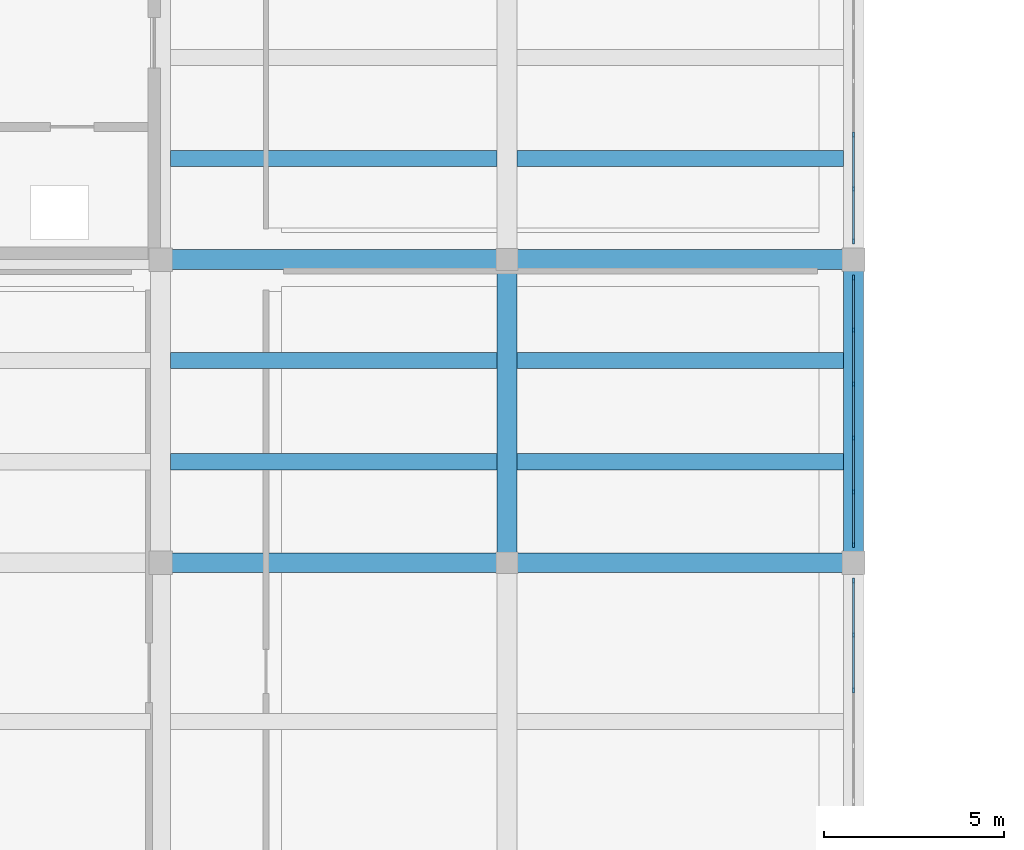
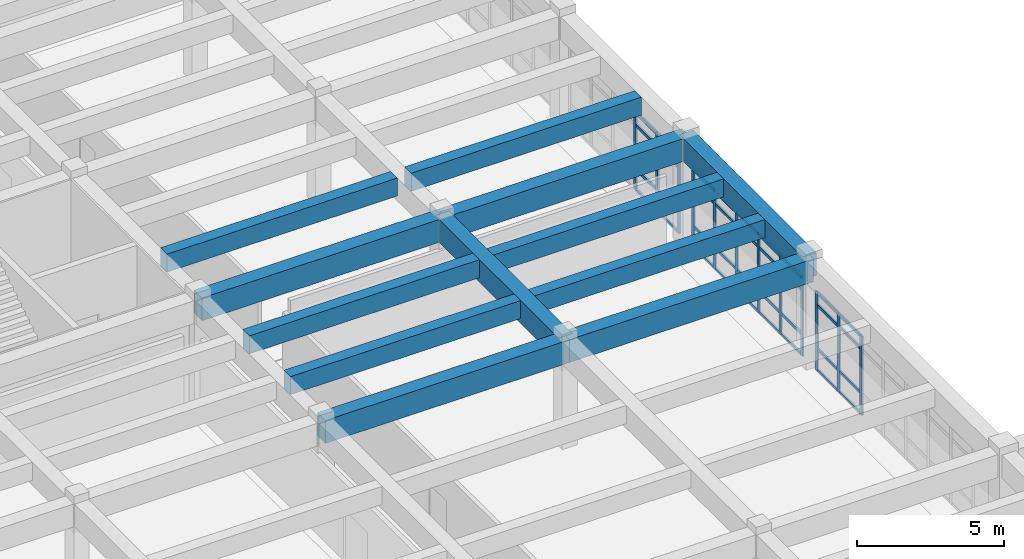
# One storey, part 10 of 86: 48 members, 12 beams, 3 elements without a shape of their own.
"""IFC4 building model written with IfcOpenShell, lengths in metres."""

from ifc_helpers import new_model, si_unit, direction, frame, origin, origin_2d, place, context, subcontext, project, spatial, rectangle, extrude, material, layer, layer_set, material_profile, profile_set, type_object, element, aggregate, save


model = new_model("IFC4")

# Units and contexts
model_context = context("Model", 3, precision=1e-05, world=origin(), true_north=direction((0.0, 1.0)))
body_context = subcontext(model_context, "Body", "Model", "MODEL_VIEW")
ifc_project = project(units=[si_unit("LENGTHUNIT", "METRE"), si_unit("AREAUNIT", "SQUARE_METRE"), si_unit("VOLUMEUNIT", "CUBIC_METRE"), si_unit("PLANEANGLEUNIT", "RADIAN"), si_unit("MASSUNIT", "GRAM", prefix="KILO")], contexts=[model_context])

# Site, building, storey
site_placement = place(None, origin())
site = spatial("IfcSite", under=ifc_project, at=site_placement, CompositionType="ELEMENT")
building_placement = place(site_placement, origin())
building = spatial("IfcBuilding", under=site, at=building_placement, Name="Kolvemor Railside Polytechnic", CompositionType="ELEMENT")
storey_placement = place(building_placement, frame((0.0, 0.0, 5.39990234375)))
storey = spatial("IfcBuildingStorey", under=building, at=storey_placement, Name="L01", CompositionType="ELEMENT", Elevation=5.39990234375)

# Beams
ifc_material_1 = material(Name="Concrete C40/50", Category="concrete")
ifc_material_profile_1 = material_profile(ifc_material_1, rectangle(XDim=0.550048828125, YDim=0.949951171875, at=origin_2d()), Name="RC550x950")
ifc_profile_set_1 = profile_set([ifc_material_profile_1], Name="Concrete C40/50")
beam_type_1 = type_object("IfcBeamType", Name="BM-RC-GIRD", PredefinedType="BEAM", material=ifc_profile_set_1)
beam_1_placement = place(storey_placement, frame((28.800048828125, 51.60009765625, 4.005126953125), z_axis=(1.0, 0.0, 0.0), x_axis=(0.0, 1.0, 0.0)))
element("IfcBeam", 1, at=beam_1_placement, inside=storey, type_object=beam_type_1, Name="Primary Girder L02-GX 0586", PredefinedType="BEAM", context=body_context, shape_type="SweptSolid", body=[
    extrude(rectangle(XDim=0.550048828125, YDim=0.949951171875, at=origin_2d()), origin(), (0.0, 0.0, 1.0), 9.599853515625),
])
beam_2_placement = place(storey_placement, frame((38.39990234375, 51.60009765625, 4.005126953125), z_axis=(1.0, 0.0, 0.0), x_axis=(0.0, 1.0, 0.0)))
element("IfcBeam", 2, at=beam_2_placement, inside=storey, type_object=beam_type_1, Name="Primary Girder L02-GX 0587", PredefinedType="BEAM", context=body_context, shape_type="SweptSolid", body=[
    extrude(rectangle(XDim=0.550048828125, YDim=0.949951171875, at=origin_2d()), origin(), (0.0, 0.0, 1.0), 9.60009765625),
])
beam_3_placement = place(storey_placement, frame((28.800048828125, 60.0, 4.005126953125), z_axis=(1.0, 0.0, 0.0), x_axis=(0.0, 1.0, 0.0)))
element("IfcBeam", 3, at=beam_3_placement, inside=storey, type_object=beam_type_1, Name="Primary Girder L02-GX 0591", PredefinedType="BEAM", context=body_context, shape_type="SweptSolid", body=[
    extrude(rectangle(XDim=0.550048828125, YDim=0.949951171875, at=origin_2d()), origin(), (0.0, 0.0, 1.0), 9.599853515625),
])
beam_4_placement = place(storey_placement, frame((38.39990234375, 60.0, 4.005126953125), z_axis=(1.0, 0.0, 0.0), x_axis=(0.0, 1.0, 0.0)))
element("IfcBeam", 4, at=beam_4_placement, inside=storey, type_object=beam_type_1, Name="Primary Girder L02-GX 0592", PredefinedType="BEAM", context=body_context, shape_type="SweptSolid", body=[
    extrude(rectangle(XDim=0.550048828125, YDim=0.949951171875, at=origin_2d()), origin(), (0.0, 0.0, 1.0), 9.60009765625),
])
for number, where, z_axis, x_axis, name in (
    (5, (38.39990234375, 51.60009765625, 4.005126953125), (0.0, 1.0, 0.0), (-1.0, 0.0, 0.0), "Primary Girder L02-GY 0649"),
    (6, (48.0, 51.60009765625, 4.005126953125), (0.0, 1.0, 0.0), (-1.0, 0.0, 0.0), "Primary Girder L02-GY 0658"),
):
    element("IfcBeam", number, at=place(storey_placement, frame(where, z_axis=z_axis, x_axis=x_axis)), inside=storey, type_object=beam_type_1, Name=name, PredefinedType="BEAM", context=body_context, shape_type="SweptSolid", body=[
        extrude(rectangle(XDim=0.550048828125, YDim=0.949951171875, at=origin_2d()), origin(), (0.0, 0.0, 1.0), 8.39990234375),
    ])
ifc_material_2 = material(Name="Concrete C40/50", Category="concrete")
ifc_material_profile_2 = material_profile(ifc_material_2, rectangle(XDim=0.449951171875, YDim=0.75, at=origin_2d()), Name="RC450x750")
ifc_profile_set_2 = profile_set([ifc_material_profile_2], Name="Concrete C40/50")
beam_type_2 = type_object("IfcBeamType", Name="BM-RC-SEC", PredefinedType="JOIST", material=ifc_profile_set_2)
for number, where, z_axis, x_axis, name in (
    (7, (29.074951171875, 54.39990234375, 4.10498046875), (1.0, 0.0, 0.0), (0.0, 1.0, 0.0), "Floor Joist L02-J0722"),
    (8, (29.074951171875, 57.199951171875, 4.10498046875), (1.0, 0.0, 0.0), (0.0, 1.0, 0.0), "Floor Joist L02-J0723"),
    (9, (29.074951171875, 62.800048828125, 4.10498046875), (1.0, 0.0, 0.0), (0.0, 1.0, 0.0), "Floor Joist L02-J0724"),
    (10, (38.675048828125, 54.39990234375, 4.10498046875), (1.0, 0.0, 0.0), (0.0, 1.0, 0.0), "Floor Joist L02-J0740"),
    (11, (38.675048828125, 57.199951171875, 4.10498046875), (1.0, 0.0, 0.0), (0.0, 1.0, 0.0), "Floor Joist L02-J0741"),
    (12, (38.675048828125, 62.800048828125, 4.10498046875), (1.0, 0.0, 0.0), (0.0, 1.0, 0.0), "Floor Joist L02-J0742"),
):
    element("IfcBeam", number, at=place(storey_placement, frame(where, z_axis=z_axis, x_axis=x_axis)), inside=storey, type_object=beam_type_2, Name=name, PredefinedType="JOIST", context=body_context, shape_type="SweptSolid", body=[
        extrude(rectangle(XDim=0.449951171875, YDim=0.75, at=origin_2d()), origin(), (0.0, 0.0, 1.0), 9.050048828125),
    ])

# Curtain wall, members
ifc_material_3 = material(Name="Anodised marine aluminium and laminated low-E glass", Category="aluminium")
ifc_layer = layer(ifc_material_3, 0.179931640625, Name="CW-UNIT-STD")
ifc_layer_set = layer_set([ifc_layer], Name="Anodised marine aluminium and laminated low-E glass")
curtain_wall_type = type_object("IfcCurtainWallType", Name="CW-UNIT-STD", PredefinedType="USERDEFINED", material=ifc_layer_set)
curtain_wall_1_placement = place(storey_placement, origin())
curtain_wall_1 = element("IfcCurtainWall", 13, at=curtain_wall_1_placement, inside=storey, type_object=curtain_wall_type, Name="Curtain Wall L01-056", ObjectType="UNITISED CURTAIN WALL", PredefinedType="USERDEFINED")
ifc_material_4 = material(Name="Anodised marine aluminium 6063-T6", Category="aluminium")
ifc_material_profile_3 = material_profile(ifc_material_4, rectangle(XDim=0.06494140625, YDim=0.14990234375, at=origin_2d()), Name="CW-MUL-65x150")
ifc_profile_set_3 = profile_set([ifc_material_profile_3], Name="Anodised marine aluminium 6063-T6")
member_type_1 = type_object("IfcMemberType", Name="CWM-65x150", PredefinedType="MULLION", material=ifc_profile_set_3)
member_1_placement = place(storey_placement, frame((48.0, 48.06494140625, 0.0), z_axis=(0.0, 0.0, 1.0), x_axis=(-1.0, 0.0, 0.0)))
member_1 = element("IfcMember", 14, at=member_1_placement, type_object=member_type_1, Name="CW-STD mullion 7", PredefinedType="MULLION", context=body_context, shape_type="SweptSolid", body=[
    extrude(rectangle(XDim=0.06494140625, YDim=0.14990234375, at=origin_2d()), origin(), (0.0, 0.0, 1.0), 3.280029296875),
])
member_2_placement = place(storey_placement, frame((48.0, 49.597412109375, 0.0), z_axis=(0.0, 0.0, 1.0), x_axis=(-1.0, 0.0, 0.0)))
member_2 = element("IfcMember", 15, at=member_2_placement, type_object=member_type_1, Name="CW-STD mullion 8", PredefinedType="MULLION", context=body_context, shape_type="SweptSolid", body=[
    extrude(rectangle(XDim=0.06494140625, YDim=0.14990234375, at=origin_2d()), origin(), (0.0, 0.0, 1.0), 3.280029296875),
])
member_3_placement = place(storey_placement, frame((48.0, 51.097412109375, 0.0), z_axis=(0.0, 0.0, 1.0), x_axis=(-1.0, 0.0, 0.0)))
member_3 = element("IfcMember", 16, at=member_3_placement, type_object=member_type_1, Name="CW-STD mullion 9", PredefinedType="MULLION", context=body_context, shape_type="SweptSolid", body=[
    extrude(rectangle(XDim=0.06494140625, YDim=0.14990234375, at=origin_2d()), origin(), (0.0, 0.0, 1.0), 3.280029296875),
])

curtain_wall_2_placement = place(storey_placement, origin())
curtain_wall_2 = element("IfcCurtainWall", 17, at=curtain_wall_2_placement, inside=storey, type_object=curtain_wall_type, Name="Curtain Wall L01-066", ObjectType="UNITISED CURTAIN WALL", PredefinedType="USERDEFINED")
member_4_placement = place(storey_placement, frame((48.0, 52.1025390625, 0.0), z_axis=(0.0, 0.0, 1.0), x_axis=(-1.0, 0.0, 0.0)))
member_4 = element("IfcMember", 18, at=member_4_placement, type_object=member_type_1, Name="CW-STD mullion 1", PredefinedType="MULLION", context=body_context, shape_type="SweptSolid", body=[
    extrude(rectangle(XDim=0.06494140625, YDim=0.14990234375, at=origin_2d()), origin(), (0.0, 0.0, 1.0), 3.280029296875),
])
member_5_placement = place(storey_placement, frame((48.0, 53.56201171875, 0.0), z_axis=(0.0, 0.0, 1.0), x_axis=(-1.0, 0.0, 0.0)))
member_5 = element("IfcMember", 19, at=member_5_placement, type_object=member_type_1, Name="CW-STD mullion 2", PredefinedType="MULLION", context=body_context, shape_type="SweptSolid", body=[
    extrude(rectangle(XDim=0.06494140625, YDim=0.14990234375, at=origin_2d()), origin(), (0.0, 0.0, 1.0), 3.280029296875),
])
member_6_placement = place(storey_placement, frame((48.0, 55.053955078125, 0.0), z_axis=(0.0, 0.0, 1.0), x_axis=(-1.0, 0.0, 0.0)))
member_6 = element("IfcMember", 20, at=member_6_placement, type_object=member_type_1, Name="CW-STD mullion 3", PredefinedType="MULLION", context=body_context, shape_type="SweptSolid", body=[
    extrude(rectangle(XDim=0.06494140625, YDim=0.14990234375, at=origin_2d()), origin(), (0.0, 0.0, 1.0), 3.280029296875),
])
member_7_placement = place(storey_placement, frame((48.0, 56.5458984375, 0.0), z_axis=(0.0, 0.0, 1.0), x_axis=(-1.0, 0.0, 0.0)))
member_7 = element("IfcMember", 21, at=member_7_placement, type_object=member_type_1, Name="CW-STD mullion 4", PredefinedType="MULLION", context=body_context, shape_type="SweptSolid", body=[
    extrude(rectangle(XDim=0.06494140625, YDim=0.14990234375, at=origin_2d()), origin(), (0.0, 0.0, 1.0), 3.280029296875),
])
member_8_placement = place(storey_placement, frame((48.0, 58.0380859375, 0.0), z_axis=(0.0, 0.0, 1.0), x_axis=(-1.0, 0.0, 0.0)))
member_8 = element("IfcMember", 22, at=member_8_placement, type_object=member_type_1, Name="CW-STD mullion 5", PredefinedType="MULLION", context=body_context, shape_type="SweptSolid", body=[
    extrude(rectangle(XDim=0.06494140625, YDim=0.14990234375, at=origin_2d()), origin(), (0.0, 0.0, 1.0), 3.280029296875),
])
member_9_placement = place(storey_placement, frame((48.0, 59.49755859375, 0.0), z_axis=(0.0, 0.0, 1.0), x_axis=(-1.0, 0.0, 0.0)))
member_9 = element("IfcMember", 23, at=member_9_placement, type_object=member_type_1, Name="CW-STD mullion 6", PredefinedType="MULLION", context=body_context, shape_type="SweptSolid", body=[
    extrude(rectangle(XDim=0.06494140625, YDim=0.14990234375, at=origin_2d()), origin(), (0.0, 0.0, 1.0), 3.280029296875),
])

curtain_wall_3_placement = place(storey_placement, origin())
curtain_wall_3 = element("IfcCurtainWall", 24, at=curtain_wall_3_placement, inside=storey, type_object=curtain_wall_type, Name="Curtain Wall L01-076", ObjectType="UNITISED CURTAIN WALL", PredefinedType="USERDEFINED")
member_10_placement = place(storey_placement, frame((48.0, 60.50244140625, 0.0), z_axis=(0.0, 0.0, 1.0), x_axis=(-1.0, 0.0, 0.0)))
member_10 = element("IfcMember", 25, at=member_10_placement, type_object=member_type_1, Name="CW-STD mullion 1", PredefinedType="MULLION", context=body_context, shape_type="SweptSolid", body=[
    extrude(rectangle(XDim=0.06494140625, YDim=0.14990234375, at=origin_2d()), origin(), (0.0, 0.0, 1.0), 3.280029296875),
])
member_11_placement = place(storey_placement, frame((48.0, 61.9619140625, 0.0), z_axis=(0.0, 0.0, 1.0), x_axis=(-1.0, 0.0, 0.0)))
member_11 = element("IfcMember", 26, at=member_11_placement, type_object=member_type_1, Name="CW-STD mullion 2", PredefinedType="MULLION", context=body_context, shape_type="SweptSolid", body=[
    extrude(rectangle(XDim=0.06494140625, YDim=0.14990234375, at=origin_2d()), origin(), (0.0, 0.0, 1.0), 3.280029296875),
])
member_12_placement = place(storey_placement, frame((48.0, 63.4541015625, 0.0), z_axis=(0.0, 0.0, 1.0), x_axis=(-1.0, 0.0, 0.0)))
member_12 = element("IfcMember", 27, at=member_12_placement, type_object=member_type_1, Name="CW-STD mullion 3", PredefinedType="MULLION", context=body_context, shape_type="SweptSolid", body=[
    extrude(rectangle(XDim=0.06494140625, YDim=0.14990234375, at=origin_2d()), origin(), (0.0, 0.0, 1.0), 3.280029296875),
])

# Member
ifc_material_5 = material(Name="Anodised marine aluminium 6063-T6", Category="aluminium")
ifc_material_profile_4 = material_profile(ifc_material_5, rectangle(XDim=0.06494140625, YDim=0.1201171875, at=origin_2d()), Name="CW-TRN-65x120")
ifc_profile_set_4 = profile_set([ifc_material_profile_4], Name="Anodised marine aluminium 6063-T6")
member_type_2 = type_object("IfcMemberType", Name="CWT-65x120", PredefinedType="USERDEFINED", material=ifc_profile_set_4)
member_13_placement = place(storey_placement, frame((48.0, 48.097412109375, 0.03271484375), z_axis=(0.0, 1.0, 0.0), x_axis=(-1.0, 0.0, 0.0)))
member_13 = element("IfcMember", 28, at=member_13_placement, type_object=member_type_2, Name="CW-STD transom 7.1", ObjectType="TRANSOM", PredefinedType="USERDEFINED", context=body_context, shape_type="SweptSolid", body=[
    extrude(rectangle(XDim=0.06494140625, YDim=0.1201171875, at=origin_2d()), origin(), (0.0, 0.0, 1.0), 1.467529296875),
])

member_14_placement = place(storey_placement, frame((48.0, 48.097412109375, 0.900146484375), z_axis=(0.0, 1.0, 0.0), x_axis=(-1.0, 0.0, 0.0)))
member_14 = element("IfcMember", 29, at=member_14_placement, type_object=member_type_2, Name="CW-STD transom 7.2", ObjectType="TRANSOM", PredefinedType="USERDEFINED", context=body_context, shape_type="SweptSolid", body=[
    extrude(rectangle(XDim=0.06494140625, YDim=0.1201171875, at=origin_2d()), origin(), (0.0, 0.0, 1.0), 1.467529296875),
])

member_15_placement = place(storey_placement, frame((48.0, 48.097412109375, 2.72998046875), z_axis=(0.0, 1.0, 0.0), x_axis=(-1.0, 0.0, 0.0)))
member_15 = element("IfcMember", 30, at=member_15_placement, type_object=member_type_2, Name="CW-STD transom 7.3", ObjectType="TRANSOM", PredefinedType="USERDEFINED", context=body_context, shape_type="SweptSolid", body=[
    extrude(rectangle(XDim=0.06494140625, YDim=0.1201171875, at=origin_2d()), origin(), (0.0, 0.0, 1.0), 1.467529296875),
])

member_16_placement = place(storey_placement, frame((48.0, 48.097412109375, 3.24755859375), z_axis=(0.0, 1.0, 0.0), x_axis=(-1.0, 0.0, 0.0)))
member_16 = element("IfcMember", 31, at=member_16_placement, type_object=member_type_2, Name="CW-STD transom 7.4", ObjectType="TRANSOM", PredefinedType="USERDEFINED", context=body_context, shape_type="SweptSolid", body=[
    extrude(rectangle(XDim=0.06494140625, YDim=0.1201171875, at=origin_2d()), origin(), (0.0, 0.0, 1.0), 1.467529296875),
])

member_17_placement = place(storey_placement, frame((48.0, 49.6298828125, 0.03271484375), z_axis=(0.0, 1.0, 0.0), x_axis=(-1.0, 0.0, 0.0)))
member_17 = element("IfcMember", 32, at=member_17_placement, type_object=member_type_2, Name="CW-STD transom 8.1", ObjectType="TRANSOM", PredefinedType="USERDEFINED", context=body_context, shape_type="SweptSolid", body=[
    extrude(rectangle(XDim=0.06494140625, YDim=0.1201171875, at=origin_2d()), origin(), (0.0, 0.0, 1.0), 1.43505859375),
])

member_18_placement = place(storey_placement, frame((48.0, 49.6298828125, 0.900146484375), z_axis=(0.0, 1.0, 0.0), x_axis=(-1.0, 0.0, 0.0)))
member_18 = element("IfcMember", 33, at=member_18_placement, type_object=member_type_2, Name="CW-STD transom 8.2", ObjectType="TRANSOM", PredefinedType="USERDEFINED", context=body_context, shape_type="SweptSolid", body=[
    extrude(rectangle(XDim=0.06494140625, YDim=0.1201171875, at=origin_2d()), origin(), (0.0, 0.0, 1.0), 1.43505859375),
])

member_19_placement = place(storey_placement, frame((48.0, 49.6298828125, 2.72998046875), z_axis=(0.0, 1.0, 0.0), x_axis=(-1.0, 0.0, 0.0)))
member_19 = element("IfcMember", 34, at=member_19_placement, type_object=member_type_2, Name="CW-STD transom 8.3", ObjectType="TRANSOM", PredefinedType="USERDEFINED", context=body_context, shape_type="SweptSolid", body=[
    extrude(rectangle(XDim=0.06494140625, YDim=0.1201171875, at=origin_2d()), origin(), (0.0, 0.0, 1.0), 1.43505859375),
])

member_20_placement = place(storey_placement, frame((48.0, 49.6298828125, 3.24755859375), z_axis=(0.0, 1.0, 0.0), x_axis=(-1.0, 0.0, 0.0)))
member_20 = element("IfcMember", 35, at=member_20_placement, type_object=member_type_2, Name="CW-STD transom 8.4", ObjectType="TRANSOM", PredefinedType="USERDEFINED", context=body_context, shape_type="SweptSolid", body=[
    extrude(rectangle(XDim=0.06494140625, YDim=0.1201171875, at=origin_2d()), origin(), (0.0, 0.0, 1.0), 1.43505859375),
])

aggregate(curtain_wall_1, [member_1, member_2, member_3, member_13, member_14, member_15, member_16, member_17, member_18, member_19, member_20])

member_21_placement = place(storey_placement, frame((48.0, 52.135009765625, 0.03271484375), z_axis=(0.0, 1.0, 0.0), x_axis=(-1.0, 0.0, 0.0)))
member_21 = element("IfcMember", 36, at=member_21_placement, type_object=member_type_2, Name="CW-STD transom 1.1", ObjectType="TRANSOM", PredefinedType="USERDEFINED", context=body_context, shape_type="SweptSolid", body=[
    extrude(rectangle(XDim=0.06494140625, YDim=0.1201171875, at=origin_2d()), origin(), (0.0, 0.0, 1.0), 1.39453125),
])

member_22_placement = place(storey_placement, frame((48.0, 52.135009765625, 0.900146484375), z_axis=(0.0, 1.0, 0.0), x_axis=(-1.0, 0.0, 0.0)))
member_22 = element("IfcMember", 37, at=member_22_placement, type_object=member_type_2, Name="CW-STD transom 1.2", ObjectType="TRANSOM", PredefinedType="USERDEFINED", context=body_context, shape_type="SweptSolid", body=[
    extrude(rectangle(XDim=0.06494140625, YDim=0.1201171875, at=origin_2d()), origin(), (0.0, 0.0, 1.0), 1.39453125),
])

member_23_placement = place(storey_placement, frame((48.0, 52.135009765625, 2.72998046875), z_axis=(0.0, 1.0, 0.0), x_axis=(-1.0, 0.0, 0.0)))
member_23 = element("IfcMember", 38, at=member_23_placement, type_object=member_type_2, Name="CW-STD transom 1.3", ObjectType="TRANSOM", PredefinedType="USERDEFINED", context=body_context, shape_type="SweptSolid", body=[
    extrude(rectangle(XDim=0.06494140625, YDim=0.1201171875, at=origin_2d()), origin(), (0.0, 0.0, 1.0), 1.39453125),
])

member_24_placement = place(storey_placement, frame((48.0, 52.135009765625, 3.24755859375), z_axis=(0.0, 1.0, 0.0), x_axis=(-1.0, 0.0, 0.0)))
member_24 = element("IfcMember", 39, at=member_24_placement, type_object=member_type_2, Name="CW-STD transom 1.4", ObjectType="TRANSOM", PredefinedType="USERDEFINED", context=body_context, shape_type="SweptSolid", body=[
    extrude(rectangle(XDim=0.06494140625, YDim=0.1201171875, at=origin_2d()), origin(), (0.0, 0.0, 1.0), 1.39453125),
])

member_25_placement = place(storey_placement, frame((48.0, 53.594482421875, 0.03271484375), z_axis=(0.0, 1.0, 0.0), x_axis=(-1.0, 0.0, 0.0)))
member_25 = element("IfcMember", 40, at=member_25_placement, type_object=member_type_2, Name="CW-STD transom 2.1", ObjectType="TRANSOM", PredefinedType="USERDEFINED", context=body_context, shape_type="SweptSolid", body=[
    extrude(rectangle(XDim=0.06494140625, YDim=0.1201171875, at=origin_2d()), origin(), (0.0, 0.0, 1.0), 1.427001953125),
])

member_26_placement = place(storey_placement, frame((48.0, 53.594482421875, 0.900146484375), z_axis=(0.0, 1.0, 0.0), x_axis=(-1.0, 0.0, 0.0)))
member_26 = element("IfcMember", 41, at=member_26_placement, type_object=member_type_2, Name="CW-STD transom 2.2", ObjectType="TRANSOM", PredefinedType="USERDEFINED", context=body_context, shape_type="SweptSolid", body=[
    extrude(rectangle(XDim=0.06494140625, YDim=0.1201171875, at=origin_2d()), origin(), (0.0, 0.0, 1.0), 1.427001953125),
])

member_27_placement = place(storey_placement, frame((48.0, 53.594482421875, 2.72998046875), z_axis=(0.0, 1.0, 0.0), x_axis=(-1.0, 0.0, 0.0)))
member_27 = element("IfcMember", 42, at=member_27_placement, type_object=member_type_2, Name="CW-STD transom 2.3", ObjectType="TRANSOM", PredefinedType="USERDEFINED", context=body_context, shape_type="SweptSolid", body=[
    extrude(rectangle(XDim=0.06494140625, YDim=0.1201171875, at=origin_2d()), origin(), (0.0, 0.0, 1.0), 1.427001953125),
])

member_28_placement = place(storey_placement, frame((48.0, 53.594482421875, 3.24755859375), z_axis=(0.0, 1.0, 0.0), x_axis=(-1.0, 0.0, 0.0)))
member_28 = element("IfcMember", 43, at=member_28_placement, type_object=member_type_2, Name="CW-STD transom 2.4", ObjectType="TRANSOM", PredefinedType="USERDEFINED", context=body_context, shape_type="SweptSolid", body=[
    extrude(rectangle(XDim=0.06494140625, YDim=0.1201171875, at=origin_2d()), origin(), (0.0, 0.0, 1.0), 1.427001953125),
])

member_29_placement = place(storey_placement, frame((48.0, 55.08642578125, 0.03271484375), z_axis=(0.0, 1.0, 0.0), x_axis=(-1.0, 0.0, 0.0)))
member_29 = element("IfcMember", 44, at=member_29_placement, type_object=member_type_2, Name="CW-STD transom 3.1", ObjectType="TRANSOM", PredefinedType="USERDEFINED", context=body_context, shape_type="SweptSolid", body=[
    extrude(rectangle(XDim=0.06494140625, YDim=0.1201171875, at=origin_2d()), origin(), (0.0, 0.0, 1.0), 1.427001953125),
])

member_30_placement = place(storey_placement, frame((48.0, 55.08642578125, 0.900146484375), z_axis=(0.0, 1.0, 0.0), x_axis=(-1.0, 0.0, 0.0)))
member_30 = element("IfcMember", 45, at=member_30_placement, type_object=member_type_2, Name="CW-STD transom 3.2", ObjectType="TRANSOM", PredefinedType="USERDEFINED", context=body_context, shape_type="SweptSolid", body=[
    extrude(rectangle(XDim=0.06494140625, YDim=0.1201171875, at=origin_2d()), origin(), (0.0, 0.0, 1.0), 1.427001953125),
])

member_31_placement = place(storey_placement, frame((48.0, 55.08642578125, 2.72998046875), z_axis=(0.0, 1.0, 0.0), x_axis=(-1.0, 0.0, 0.0)))
member_31 = element("IfcMember", 46, at=member_31_placement, type_object=member_type_2, Name="CW-STD transom 3.3", ObjectType="TRANSOM", PredefinedType="USERDEFINED", context=body_context, shape_type="SweptSolid", body=[
    extrude(rectangle(XDim=0.06494140625, YDim=0.1201171875, at=origin_2d()), origin(), (0.0, 0.0, 1.0), 1.427001953125),
])

member_32_placement = place(storey_placement, frame((48.0, 55.08642578125, 3.24755859375), z_axis=(0.0, 1.0, 0.0), x_axis=(-1.0, 0.0, 0.0)))
member_32 = element("IfcMember", 47, at=member_32_placement, type_object=member_type_2, Name="CW-STD transom 3.4", ObjectType="TRANSOM", PredefinedType="USERDEFINED", context=body_context, shape_type="SweptSolid", body=[
    extrude(rectangle(XDim=0.06494140625, YDim=0.1201171875, at=origin_2d()), origin(), (0.0, 0.0, 1.0), 1.427001953125),
])

member_33_placement = place(storey_placement, frame((48.0, 56.57861328125, 0.03271484375), z_axis=(0.0, 1.0, 0.0), x_axis=(-1.0, 0.0, 0.0)))
member_33 = element("IfcMember", 48, at=member_33_placement, type_object=member_type_2, Name="CW-STD transom 4.1", ObjectType="TRANSOM", PredefinedType="USERDEFINED", context=body_context, shape_type="SweptSolid", body=[
    extrude(rectangle(XDim=0.06494140625, YDim=0.1201171875, at=origin_2d()), origin(), (0.0, 0.0, 1.0), 1.427001953125),
])

member_34_placement = place(storey_placement, frame((48.0, 56.57861328125, 0.900146484375), z_axis=(0.0, 1.0, 0.0), x_axis=(-1.0, 0.0, 0.0)))
member_34 = element("IfcMember", 49, at=member_34_placement, type_object=member_type_2, Name="CW-STD transom 4.2", ObjectType="TRANSOM", PredefinedType="USERDEFINED", context=body_context, shape_type="SweptSolid", body=[
    extrude(rectangle(XDim=0.06494140625, YDim=0.1201171875, at=origin_2d()), origin(), (0.0, 0.0, 1.0), 1.427001953125),
])

member_35_placement = place(storey_placement, frame((48.0, 56.57861328125, 2.72998046875), z_axis=(0.0, 1.0, 0.0), x_axis=(-1.0, 0.0, 0.0)))
member_35 = element("IfcMember", 50, at=member_35_placement, type_object=member_type_2, Name="CW-STD transom 4.3", ObjectType="TRANSOM", PredefinedType="USERDEFINED", context=body_context, shape_type="SweptSolid", body=[
    extrude(rectangle(XDim=0.06494140625, YDim=0.1201171875, at=origin_2d()), origin(), (0.0, 0.0, 1.0), 1.427001953125),
])

member_36_placement = place(storey_placement, frame((48.0, 56.57861328125, 3.24755859375), z_axis=(0.0, 1.0, 0.0), x_axis=(-1.0, 0.0, 0.0)))
member_36 = element("IfcMember", 51, at=member_36_placement, type_object=member_type_2, Name="CW-STD transom 4.4", ObjectType="TRANSOM", PredefinedType="USERDEFINED", context=body_context, shape_type="SweptSolid", body=[
    extrude(rectangle(XDim=0.06494140625, YDim=0.1201171875, at=origin_2d()), origin(), (0.0, 0.0, 1.0), 1.427001953125),
])

member_37_placement = place(storey_placement, frame((48.0, 58.070556640625, 0.03271484375), z_axis=(0.0, 1.0, 0.0), x_axis=(-1.0, 0.0, 0.0)))
member_37 = element("IfcMember", 52, at=member_37_placement, type_object=member_type_2, Name="CW-STD transom 5.1", ObjectType="TRANSOM", PredefinedType="USERDEFINED", context=body_context, shape_type="SweptSolid", body=[
    extrude(rectangle(XDim=0.06494140625, YDim=0.1201171875, at=origin_2d()), origin(), (0.0, 0.0, 1.0), 1.39453125),
])

member_38_placement = place(storey_placement, frame((48.0, 58.070556640625, 0.900146484375), z_axis=(0.0, 1.0, 0.0), x_axis=(-1.0, 0.0, 0.0)))
member_38 = element("IfcMember", 53, at=member_38_placement, type_object=member_type_2, Name="CW-STD transom 5.2", ObjectType="TRANSOM", PredefinedType="USERDEFINED", context=body_context, shape_type="SweptSolid", body=[
    extrude(rectangle(XDim=0.06494140625, YDim=0.1201171875, at=origin_2d()), origin(), (0.0, 0.0, 1.0), 1.39453125),
])

member_39_placement = place(storey_placement, frame((48.0, 58.070556640625, 2.72998046875), z_axis=(0.0, 1.0, 0.0), x_axis=(-1.0, 0.0, 0.0)))
member_39 = element("IfcMember", 54, at=member_39_placement, type_object=member_type_2, Name="CW-STD transom 5.3", ObjectType="TRANSOM", PredefinedType="USERDEFINED", context=body_context, shape_type="SweptSolid", body=[
    extrude(rectangle(XDim=0.06494140625, YDim=0.1201171875, at=origin_2d()), origin(), (0.0, 0.0, 1.0), 1.39453125),
])

member_40_placement = place(storey_placement, frame((48.0, 58.070556640625, 3.24755859375), z_axis=(0.0, 1.0, 0.0), x_axis=(-1.0, 0.0, 0.0)))
member_40 = element("IfcMember", 55, at=member_40_placement, type_object=member_type_2, Name="CW-STD transom 5.4", ObjectType="TRANSOM", PredefinedType="USERDEFINED", context=body_context, shape_type="SweptSolid", body=[
    extrude(rectangle(XDim=0.06494140625, YDim=0.1201171875, at=origin_2d()), origin(), (0.0, 0.0, 1.0), 1.39453125),
])

aggregate(curtain_wall_2, [member_4, member_5, member_6, member_7, member_8, member_9, member_21, member_22, member_23, member_24, member_25, member_26, member_27, member_28, member_29, member_30, member_31, member_32, member_33, member_34, member_35, member_36, member_37, member_38, member_39, member_40])

member_41_placement = place(storey_placement, frame((48.0, 60.534912109375, 0.03271484375), z_axis=(0.0, 1.0, 0.0), x_axis=(-1.0, 0.0, 0.0)))
member_41 = element("IfcMember", 56, at=member_41_placement, type_object=member_type_2, Name="CW-STD transom 1.1", ObjectType="TRANSOM", PredefinedType="USERDEFINED", context=body_context, shape_type="SweptSolid", body=[
    extrude(rectangle(XDim=0.06494140625, YDim=0.1201171875, at=origin_2d()), origin(), (0.0, 0.0, 1.0), 1.39453125),
])

member_42_placement = place(storey_placement, frame((48.0, 60.534912109375, 0.900146484375), z_axis=(0.0, 1.0, 0.0), x_axis=(-1.0, 0.0, 0.0)))
member_42 = element("IfcMember", 57, at=member_42_placement, type_object=member_type_2, Name="CW-STD transom 1.2", ObjectType="TRANSOM", PredefinedType="USERDEFINED", context=body_context, shape_type="SweptSolid", body=[
    extrude(rectangle(XDim=0.06494140625, YDim=0.1201171875, at=origin_2d()), origin(), (0.0, 0.0, 1.0), 1.39453125),
])

member_43_placement = place(storey_placement, frame((48.0, 60.534912109375, 2.72998046875), z_axis=(0.0, 1.0, 0.0), x_axis=(-1.0, 0.0, 0.0)))
member_43 = element("IfcMember", 58, at=member_43_placement, type_object=member_type_2, Name="CW-STD transom 1.3", ObjectType="TRANSOM", PredefinedType="USERDEFINED", context=body_context, shape_type="SweptSolid", body=[
    extrude(rectangle(XDim=0.06494140625, YDim=0.1201171875, at=origin_2d()), origin(), (0.0, 0.0, 1.0), 1.39453125),
])

member_44_placement = place(storey_placement, frame((48.0, 60.534912109375, 3.24755859375), z_axis=(0.0, 1.0, 0.0), x_axis=(-1.0, 0.0, 0.0)))
member_44 = element("IfcMember", 59, at=member_44_placement, type_object=member_type_2, Name="CW-STD transom 1.4", ObjectType="TRANSOM", PredefinedType="USERDEFINED", context=body_context, shape_type="SweptSolid", body=[
    extrude(rectangle(XDim=0.06494140625, YDim=0.1201171875, at=origin_2d()), origin(), (0.0, 0.0, 1.0), 1.39453125),
])

member_45_placement = place(storey_placement, frame((48.0, 61.994384765625, 0.03271484375), z_axis=(0.0, 1.0, 0.0), x_axis=(-1.0, 0.0, 0.0)))
member_45 = element("IfcMember", 60, at=member_45_placement, type_object=member_type_2, Name="CW-STD transom 2.1", ObjectType="TRANSOM", PredefinedType="USERDEFINED", context=body_context, shape_type="SweptSolid", body=[
    extrude(rectangle(XDim=0.06494140625, YDim=0.1201171875, at=origin_2d()), origin(), (0.0, 0.0, 1.0), 1.427001953125),
])

member_46_placement = place(storey_placement, frame((48.0, 61.994384765625, 0.900146484375), z_axis=(0.0, 1.0, 0.0), x_axis=(-1.0, 0.0, 0.0)))
member_46 = element("IfcMember", 61, at=member_46_placement, type_object=member_type_2, Name="CW-STD transom 2.2", ObjectType="TRANSOM", PredefinedType="USERDEFINED", context=body_context, shape_type="SweptSolid", body=[
    extrude(rectangle(XDim=0.06494140625, YDim=0.1201171875, at=origin_2d()), origin(), (0.0, 0.0, 1.0), 1.427001953125),
])

member_47_placement = place(storey_placement, frame((48.0, 61.994384765625, 2.72998046875), z_axis=(0.0, 1.0, 0.0), x_axis=(-1.0, 0.0, 0.0)))
member_47 = element("IfcMember", 62, at=member_47_placement, type_object=member_type_2, Name="CW-STD transom 2.3", ObjectType="TRANSOM", PredefinedType="USERDEFINED", context=body_context, shape_type="SweptSolid", body=[
    extrude(rectangle(XDim=0.06494140625, YDim=0.1201171875, at=origin_2d()), origin(), (0.0, 0.0, 1.0), 1.427001953125),
])

member_48_placement = place(storey_placement, frame((48.0, 61.994384765625, 3.24755859375), z_axis=(0.0, 1.0, 0.0), x_axis=(-1.0, 0.0, 0.0)))
member_48 = element("IfcMember", 63, at=member_48_placement, type_object=member_type_2, Name="CW-STD transom 2.4", ObjectType="TRANSOM", PredefinedType="USERDEFINED", context=body_context, shape_type="SweptSolid", body=[
    extrude(rectangle(XDim=0.06494140625, YDim=0.1201171875, at=origin_2d()), origin(), (0.0, 0.0, 1.0), 1.427001953125),
])

aggregate(curtain_wall_3, [member_10, member_11, member_12, member_41, member_42, member_43, member_44, member_45, member_46, member_47, member_48])

save(model, "model.ifc")
